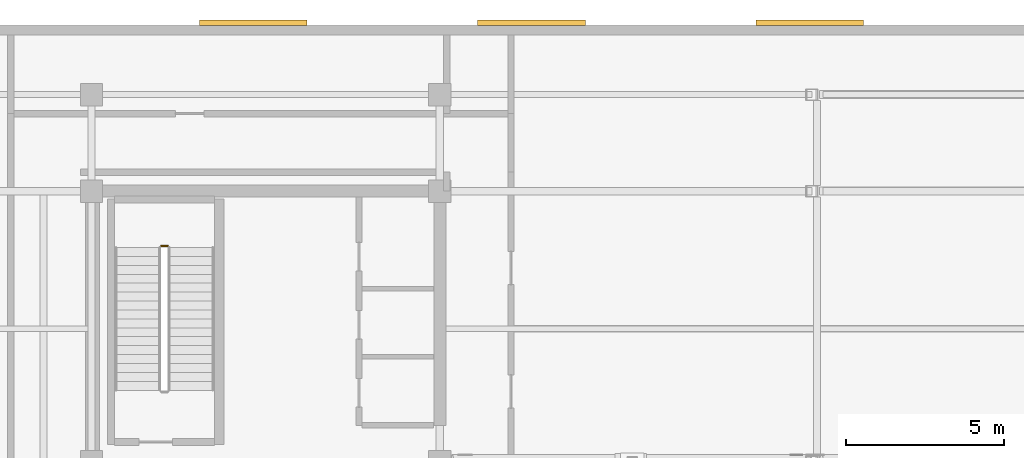
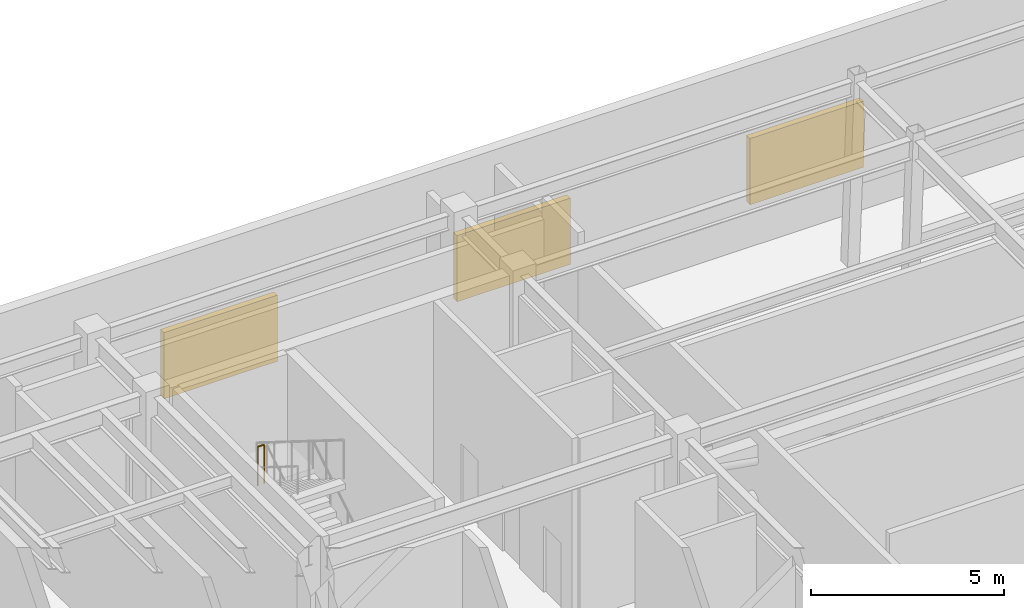
# One storey, part 12 of 12: 3 shading devices, 1 railing.
"""IFC4 building model written with IfcOpenShell, lengths in metres."""

import ifcopenshell
import ifcopenshell.guid

model = None  # the IFC model being written
_history = None  # IfcOwnerHistory: only IFC2X3 demands one
_inside = {}  # id of a spatial element -> (the spatial element, [elements in it])
_under = {}  # id of a project, library or spatial element -> (it, [spatial elements below it])
_declared = {}  # id of a project -> (the project, [libraries it declares])
_typed = {}  # id of a type object -> (the type object, [elements of that type])
_made_of = {}  # id of a material, layer set ... -> (it, [elements and type objects made of it])


def new_model(schema):
    """Start an empty IFC model of exactly this schema.

    Asked for "IFC4X3", IfcOpenShell would pick the latest addendum, in which some entities
    have other attributes; the version numbers below select the first issue.
    IFC2X3 requires an IfcOwnerHistory on every rooted entity: one is made here for all.
    """
    global model, _history
    if schema == "IFC4X3":
        model = ifcopenshell.file(schema_version=(4, 3, 0, 0))
    else:
        model = ifcopenshell.file(schema=schema)
    _inside.clear()
    _under.clear()
    _declared.clear()
    _typed.clear()
    _made_of.clear()
    _history = None
    if model.schema == "IFC2X3":
        org = make("IfcOrganization", Name="unknown")
        user = make(
            "IfcPersonAndOrganization",
            ThePerson=make("IfcPerson", FamilyName="unknown"),
            TheOrganization=org,
        )
        app = make(
            "IfcApplication",
            ApplicationDeveloper=org,
            Version="unknown",
            ApplicationFullName="unknown",
            ApplicationIdentifier="unknown",
        )
        _history = make(
            "IfcOwnerHistory",
            OwningUser=user,
            OwningApplication=app,
            ChangeAction="ADDED",
            CreationDate=0,
        )
    return model


def make(cls, **values):
    """One entity of the class cls with the attributes given. An attribute that is None is left unset."""
    return model.create_entity(
        cls, **{name: value for name, value in values.items() if value is not None}
    )


def rooted(cls, **values):
    """An entity with a GlobalId (a new one), such as an element, a storey or a relation."""
    return make(cls, GlobalId=ifcopenshell.guid.new(), OwnerHistory=_history, **values)


def si_unit(unit_type, name, prefix=None):
    """IfcSIUnit, for example si_unit("LENGTHUNIT", "METRE", prefix="MILLI")."""
    return make("IfcSIUnit", UnitType=unit_type, Prefix=prefix, Name=name)


def assignment(units):
    """IfcUnitAssignment: the units of a project."""
    return None if units is None else make("IfcUnitAssignment", Units=units)


def point(xyz):
    """IfcCartesianPoint."""
    return None if xyz is None else make("IfcCartesianPoint", Coordinates=xyz)


def direction(xyz):
    """IfcDirection."""
    return None if xyz is None else make("IfcDirection", DirectionRatios=xyz)


def frame(location, z_axis=None, x_axis=None):
    """IfcAxis2Placement3D, a coordinate frame: its origin and axes. An axis left out is left unset."""
    return make(
        "IfcAxis2Placement3D",
        Location=point(location),
        Axis=direction(z_axis),
        RefDirection=direction(x_axis),
    )


def frame_2d(location, x_axis=None):
    """IfcAxis2Placement2D, a coordinate frame in the plane: its origin and x axis."""
    return make(
        "IfcAxis2Placement2D", Location=point(location), RefDirection=direction(x_axis)
    )


def origin():
    """The frame at (0, 0, 0) with its axes left unset."""
    return frame((0.0, 0.0, 0.0))


def origin_2d():
    """The frame at (0, 0) in the plane with its x axis left unset."""
    return frame_2d((0.0, 0.0))


def place(relative_to, where):
    """IfcLocalPlacement: puts the frame where relative to a parent placement (None: the world)."""
    return make(
        "IfcLocalPlacement", PlacementRelTo=relative_to, RelativePlacement=where
    )


def context(
    kind, dimensions, precision=None, world=None, true_north=None, identifier=None
):
    """IfcGeometricRepresentationContext, for example the 3D "Model" context."""
    return make(
        "IfcGeometricRepresentationContext",
        ContextIdentifier=identifier,
        ContextType=kind,
        CoordinateSpaceDimension=dimensions,
        Precision=precision,
        WorldCoordinateSystem=world,
        TrueNorth=true_north,
    )


def subcontext(parent, identifier, kind, view, scale=None):
    """IfcGeometricRepresentationSubContext, for example "Body" below "Model"."""
    return make(
        "IfcGeometricRepresentationSubContext",
        ContextIdentifier=identifier,
        ContextType=kind,
        ParentContext=parent,
        TargetScale=scale,
        TargetView=view,
    )


def project(units=None, contexts=None):
    """IfcProject with its units and contexts."""
    return rooted(
        "IfcProject",
        Name="project",
        RepresentationContexts=contexts,
        UnitsInContext=assignment(units),
    )


def spatial(cls, under=None, at=None, **own):
    """A site, building, storey or space (cls), placed at a placement, below another one or the project."""
    s = rooted(cls, ObjectPlacement=at, **own)
    if under is not None:
        _under.setdefault(under.id(), (under, []))[1].append(s)
    return s


def profile(cls, at=None, kind="AREA", **sizes):
    """A parametric profile (cls). Its sizes go by their IFC names, for example OverallWidth=200.0."""
    return make(cls, ProfileType=kind, Position=at, **sizes)


def rectangle(**sizes):
    """IfcRectangleProfileDef."""
    return profile("IfcRectangleProfileDef", **sizes)


def circle(**sizes):
    """IfcCircleProfileDef."""
    return profile("IfcCircleProfileDef", **sizes)


def extrude(swept, where, along, depth):
    """IfcExtrudedAreaSolid: the profile swept, set in the frame where, extruded along a direction by depth."""
    return make(
        "IfcExtrudedAreaSolid",
        SweptArea=swept,
        Position=where,
        ExtrudedDirection=direction(along),
        Depth=depth,
    )


def shape(context_of_items, identifier, shape_type, items):
    """IfcShapeRepresentation: the items that make up one representation, for example the "Body"."""
    return make(
        "IfcShapeRepresentation",
        ContextOfItems=context_of_items,
        RepresentationIdentifier=identifier,
        RepresentationType=shape_type,
        Items=items,
    )


def material(Name=None, Category=None):
    """IfcMaterial."""
    return make("IfcMaterial", Name=Name, Category=Category)


def layer(
    of_material, thickness, ventilated=None, Name=None, Category=None, Priority=None
):
    """IfcMaterialLayer: one layer of a wall or slab, of a material (None: an air gap)."""
    return make(
        "IfcMaterialLayer",
        Material=of_material,
        LayerThickness=thickness,
        IsVentilated=ventilated,
        Name=Name,
        Category=Category,
        Priority=Priority,
    )


def layer_set(layers, Name=None):
    """IfcMaterialLayerSet."""
    return make("IfcMaterialLayerSet", MaterialLayers=layers, LayerSetName=Name)


def made_of(thing, what):
    """Note that an element or type object is made of a material, layer set ...; save() writes the relation."""
    if what is not None:
        _made_of.setdefault(what.id(), (what, []))[1].append(thing)
    return thing


def type_object(cls, material=None, **own):
    """A type object (cls), such as IfcWallType, which elements share."""
    return made_of(rooted(cls, **own), material)


def element(
    cls,
    number,
    at=None,
    inside=None,
    cuts=None,
    type_object=None,
    material=None,
    context=None,
    identifier="Body",
    shape_type=None,
    held_by="IfcProductDefinitionShape",
    body=None,
    shapes=None,
    **own,
):
    """One element of the class cls, such as IfcWall. Its Tag is "e" and its number.

    at: its placement. inside: the storey or other place that contains it. cuts: it is an
    opening in that element (IfcRelVoidsElement). A single representation is given by context,
    identifier, shape_type and body (its items); several are given by shapes. held_by: the class
    of the entity that holds the representations. save() writes the other relations.
    """
    e = rooted(cls, Tag="e%d" % number, ObjectPlacement=at, **own)
    if body is not None:
        shapes = [shape(context, identifier, shape_type, body)]
    if shapes is not None:
        e.Representation = make(held_by, Representations=shapes)
    if inside is not None:
        _inside.setdefault(inside.id(), (inside, []))[1].append(e)
    if cuts is not None:
        rooted(
            "IfcRelVoidsElement", RelatingBuildingElement=cuts, RelatedOpeningElement=e
        )
    if type_object is not None:
        _typed.setdefault(type_object.id(), (type_object, []))[1].append(e)
    return made_of(e, material)


def aggregate(whole, parts):
    """IfcRelAggregates: a whole, such as a stair, and the parts it consists of."""
    return rooted("IfcRelAggregates", RelatingObject=whole, RelatedObjects=parts)


def save(model, path):
    """Write the relations noted so far, then the file.

    IfcRelAggregates (storeys below a building ...), IfcRelContainedInSpatialStructure (elements
    in a storey), IfcRelDefinesByType, IfcRelAssociatesMaterial and IfcRelDeclares: one each for
    every whole, place, type object, material and project.
    """
    for whole, parts in _under.values():
        aggregate(whole, parts)
    for where, things in _inside.values():
        rooted(
            "IfcRelContainedInSpatialStructure",
            RelatedElements=things,
            RelatingStructure=where,
        )
    for kind, things in _typed.values():
        rooted("IfcRelDefinesByType", RelatedObjects=things, RelatingType=kind)
    for what, things in _made_of.values():
        rooted("IfcRelAssociatesMaterial", RelatedObjects=things, RelatingMaterial=what)
    for by, libraries in _declared.values():
        rooted("IfcRelDeclares", RelatingContext=by, RelatedDefinitions=libraries)
    model.write(path)


model = new_model("IFC4")

# Units and contexts
model_context = context("Model", 3, precision=1e-05, world=origin(), true_north=direction((0.0, 1.0)))
body_context = subcontext(model_context, "Body", "Model", "MODEL_VIEW")
ifc_project = project(units=[si_unit("LENGTHUNIT", "METRE"), si_unit("AREAUNIT", "SQUARE_METRE"), si_unit("VOLUMEUNIT", "CUBIC_METRE"), si_unit("PLANEANGLEUNIT", "RADIAN"), si_unit("MASSUNIT", "GRAM", prefix="KILO")], contexts=[model_context])

# Site, building, storey
site_placement = place(None, origin())
site = spatial("IfcSite", under=ifc_project, at=site_placement, CompositionType="ELEMENT")
building_placement = place(site_placement, origin())
building = spatial("IfcBuilding", under=site, at=building_placement, Name="Ochreholt Gables", CompositionType="ELEMENT")
storey_placement = place(building_placement, frame((0.0, 0.0, 199.800048828125)))
storey = spatial("IfcBuildingStorey", under=building, at=storey_placement, Name="L52", CompositionType="ELEMENT", Elevation=199.800048828125)

# Railing
ifc_material_1 = material(Name="Painted Steel Stair Guardrail", Category="steel")
railing_type = type_object("IfcRailingType", Name="RL-ST-GUARD", PredefinedType="GUARDRAIL", material=ifc_material_1)
railing_placement = place(storey_placement, frame((26.60009765625, 37.02197265625, 3.0)))
element("IfcRailing", 1, at=railing_placement, inside=storey, type_object=railing_type, Name="L52 ST-2 stair guard 2", PredefinedType="GUARDRAIL", context=body_context, shape_type="SweptSolid", body=[
    extrude(circle(Radius=0.02392578125, at=origin_2d()), frame((0.0, 0.0, 1.22607421875), z_axis=(-1.0, 0.0, 0.0), x_axis=(0.0, -1.0, 0.0)), (0.0, 0.0, 1.0), 0.2001953125),
    extrude(circle(Radius=0.02099609375, at=origin_2d()), origin(), (0.0, 0.0, 1.0), 1.201904296875),
    extrude(circle(Radius=0.02099609375, at=origin_2d()), frame((-0.2001953125, 0.0, 0.0)), (0.0, 0.0, 1.0), 1.201904296875),
])

# Shading devices
ifc_material_2 = material(Name="Anodized Aluminium Acoustic Weather Louvre", Category="aluminium")
ifc_layer = layer(ifc_material_2, 0.179931640625, Name="Anodized Aluminium Acoustic Weather Louvre")
ifc_layer_set = layer_set([ifc_layer], Name="Anodized Aluminium Acoustic Weather Louvre")
shading_device_type = type_object("IfcShadingDeviceType", Name="SHD-LOUVRE", PredefinedType="JALOUSIE", material=ifc_layer_set)
for number, where, z_axis, x_axis, name in (
    (2, (46.887939453125, 44.070068359375, 1.099853515625), (0.0, 0.0, 1.0), (-1.0, 0.0, 0.0), "L52 Acoustic Plant Louvre North-1"),
    (3, (38.10009765625, 44.070068359375, 1.099853515625), (0.0, 0.0, 1.0), (-1.0, 0.0, 0.0), "L52 Acoustic Plant Louvre North-2"),
    (4, (29.31201171875, 44.070068359375, 1.099853515625), (0.0, 0.0, 1.0), (-1.0, 0.0, 0.0), "L52 Acoustic Plant Louvre North-3"),
):
    element("IfcShadingDevice", number, at=place(storey_placement, frame(where, z_axis=z_axis, x_axis=x_axis)), inside=storey, type_object=shading_device_type, Name=name, PredefinedType="JALOUSIE", context=body_context, shape_type="SweptSolid", body=[
        extrude(rectangle(XDim=3.39990234375, YDim=0.179931640625, at=origin_2d()), origin(), (0.0, 0.0, 1.0), 2.10009765625),
    ])

save(model, "model.ifc")
